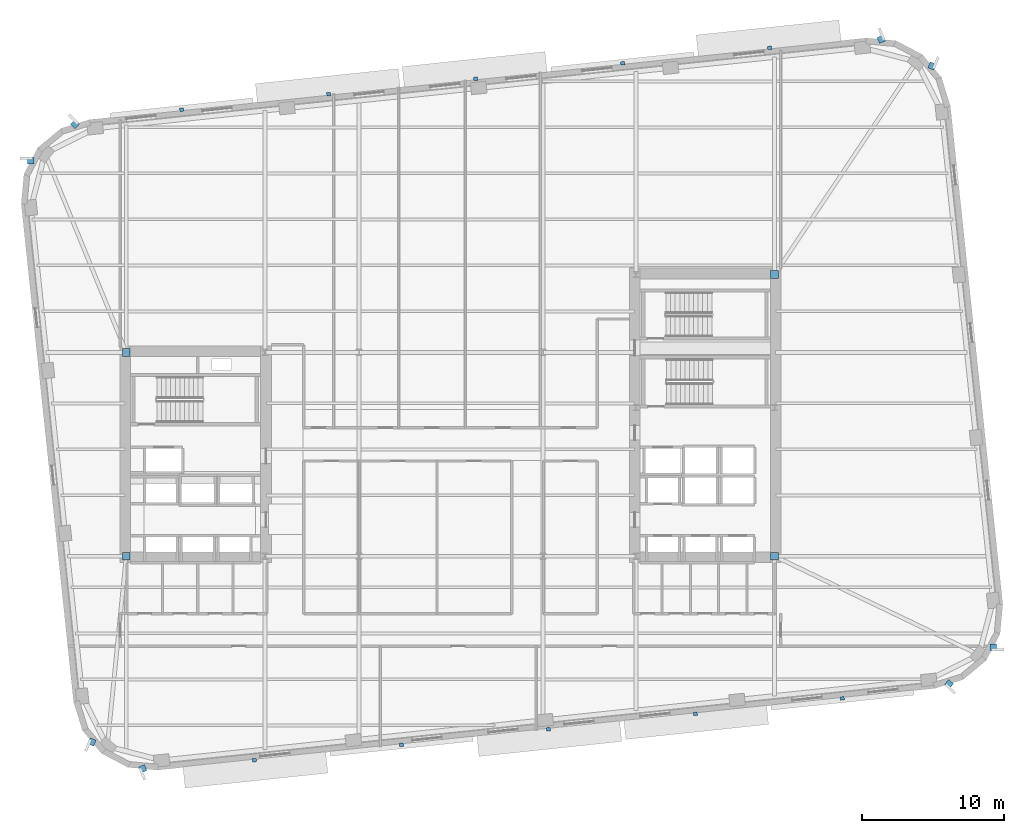
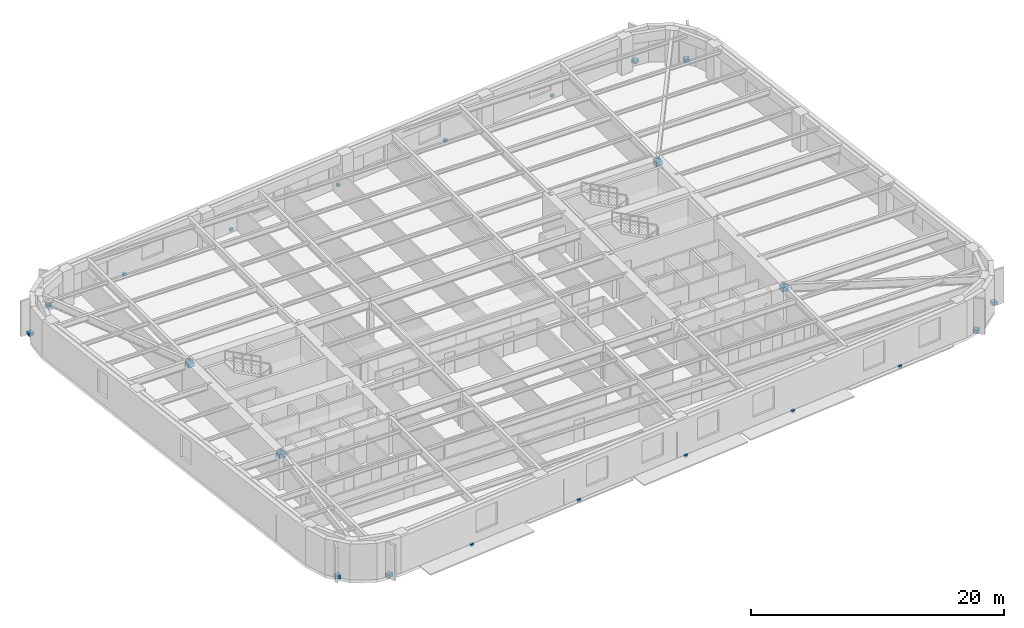
# One storey, part 8 of 15: 22 discrete accessories.
"""IFC4 building model written with IfcOpenShell, lengths in metres."""

from ifc_helpers import new_model, si_unit, direction, frame, origin, origin_2d, place, context, subcontext, project, spatial, rectangle, extrude, material, type_object, element, save


model = new_model("IFC4")

# Units and contexts
model_context = context("Model", 3, precision=1e-05, world=origin(), true_north=direction((0.0, 1.0)))
body_context = subcontext(model_context, "Body", "Model", "MODEL_VIEW")
ifc_project = project(units=[si_unit("LENGTHUNIT", "METRE"), si_unit("AREAUNIT", "SQUARE_METRE"), si_unit("VOLUMEUNIT", "CUBIC_METRE"), si_unit("PLANEANGLEUNIT", "RADIAN"), si_unit("MASSUNIT", "GRAM", prefix="KILO")], contexts=[model_context])

# Site, building, storey
site_placement = place(None, origin())
site = spatial("IfcSite", under=ifc_project, at=site_placement, CompositionType="ELEMENT")
building_placement = place(site_placement, origin())
building = spatial("IfcBuilding", under=site, at=building_placement, Name="Kolvaren Arena Tower", CompositionType="ELEMENT")
storey_placement = place(building_placement, frame((0.0, 0.0, 118.449951171875)))
storey = spatial("IfcBuildingStorey", under=building, at=storey_placement, Name="L27", CompositionType="ELEMENT", Elevation=118.449951171875)

# Discrete accessories
ifc_material_1 = material(Name="Stainless steel facade support bracket", Category="steel")
discrete_accessory_type_1 = type_object("IfcDiscreteAccessoryType", Name="ACC-BRKT-1", PredefinedType="BRACKET", material=ifc_material_1)
for number, where, z_axis, x_axis, name in (
    (1, (72.66943359375, 10.423828125, 0.02001953125), (0.0, 0.0, 1.0), (0.710184146885, -0.704015963962, 0.0), "Corner Fin Anchor Bracket (L27)"),
    (2, (75.7861328125, 13.01611328125, 0.02001953125), (0.0, 0.0, 1.0), (0.999990541547, 0.004349346783, 0.0), "Corner Fin Anchor Bracket (L27)"),
    (3, (71.470703125, 54.07470703125, 0.02001953125), (0.0, 0.0, 1.0), (0.378634078949, 0.925546451702, 0.0), "Corner Fin Anchor Bracket (L27)"),
    (4, (67.88330078125, 55.9619140625, 0.02001953125), (0.0, 0.0, 1.0), (-0.386706132999, 0.922202996472, 0.0), "Corner Fin Anchor Bracket (L27)"),
):
    element("IfcDiscreteAccessory", number, at=place(storey_placement, frame(where, z_axis=z_axis, x_axis=x_axis)), inside=storey, type_object=discrete_accessory_type_1, Name=name, PredefinedType="BRACKET", context=body_context, shape_type="SweptSolid", body=[
        extrude(rectangle(XDim=0.449951171875, YDim=0.449951171875, at=origin_2d()), origin(), (0.0, 0.0, 1.0), 0.300048828125),
    ])
for number, where, z_axis, x_axis, name in (
    (5, (18.468505859375, 50.9951171875, -0.18017578125), (0.0, 0.0, 1.0), (0.994522077803, 0.104526727499, 0.0), "Sunshade Support Bracket (L27)"),
    (6, (28.851318359375, 52.08642578125, -0.18017578125), (0.0, 0.0, 1.0), (0.994522077803, 0.104526727499, 0.0), "Sunshade Support Bracket (L27)"),
    (7, (39.234130859375, 53.177734375, -0.18017578125), (0.0, 0.0, 1.0), (0.994522077803, 0.104526727499, 0.0), "Sunshade Support Bracket (L27)"),
    (8, (49.616943359375, 54.268798828125, -0.18017578125), (0.0, 0.0, 1.0), (0.994522077803, 0.104526727499, 0.0), "Sunshade Support Bracket (L27)"),
    (9, (59.999755859375, 55.360107421875, -0.18017578125), (0.0, 0.0, 1.0), (0.994522077803, 0.104526727499, 0.0), "Sunshade Support Bracket (L27)"),
):
    element("IfcDiscreteAccessory", number, at=place(storey_placement, frame(where, z_axis=z_axis, x_axis=x_axis)), inside=storey, type_object=discrete_accessory_type_1, Name=name, PredefinedType="BRACKET", context=body_context, shape_type="SweptSolid", body=[
        extrude(rectangle(XDim=0.280029296875, YDim=0.239990234375, at=origin_2d()), origin(), (0.0, 0.0, 1.0), 0.239990234375),
    ])
for number, where, z_axis, x_axis, name in (
    (10, (10.930419921875, 49.97607421875, 0.02001953125), (0.0, 0.0, 1.0), (-0.710184146885, 0.704015963962, 0.0), "Corner Fin Anchor Bracket (L27)"),
    (11, (7.81396484375, 47.384033203125, 0.02001953125), (0.0, 0.0, 1.0), (-0.999990541547, -0.004349346783, 0.0), "Corner Fin Anchor Bracket (L27)"),
    (12, (12.12939453125, 6.325439453125, 0.02001953125), (0.0, 0.0, 1.0), (-0.378634078949, -0.925546451702, 0.0), "Corner Fin Anchor Bracket (L27)"),
    (13, (15.716796875, 4.43798828125, 0.02001953125), (0.0, 0.0, 1.0), (0.386706132999, -0.922202996472, 0.0), "Corner Fin Anchor Bracket (L27)"),
):
    element("IfcDiscreteAccessory", number, at=place(storey_placement, frame(where, z_axis=z_axis, x_axis=x_axis)), inside=storey, type_object=discrete_accessory_type_1, Name=name, PredefinedType="BRACKET", context=body_context, shape_type="SweptSolid", body=[
        extrude(rectangle(XDim=0.449951171875, YDim=0.449951171875, at=origin_2d()), origin(), (0.0, 0.0, 1.0), 0.300048828125),
    ])
for number, where, z_axis, x_axis, name in (
    (14, (65.131591796875, 9.40478515625, -0.18017578125), (0.0, 0.0, 1.0), (-0.994522077803, -0.104526727499, 0.0), "Sunshade Support Bracket (L27)"),
    (15, (54.748779296875, 8.313720703125, -0.18017578125), (0.0, 0.0, 1.0), (-0.994522077803, -0.104526727499, 0.0), "Sunshade Support Bracket (L27)"),
    (16, (44.365966796875, 7.222412109375, -0.18017578125), (0.0, 0.0, 1.0), (-0.994522077803, -0.104526727499, 0.0), "Sunshade Support Bracket (L27)"),
    (17, (33.983154296875, 6.131103515625, -0.18017578125), (0.0, 0.0, 1.0), (-0.994522077803, -0.104526727499, 0.0), "Sunshade Support Bracket (L27)"),
    (18, (23.600341796875, 5.039794921875, -0.18017578125), (0.0, 0.0, 1.0), (-0.994522077803, -0.104526727499, 0.0), "Sunshade Support Bracket (L27)"),
):
    element("IfcDiscreteAccessory", number, at=place(storey_placement, frame(where, z_axis=z_axis, x_axis=x_axis)), inside=storey, type_object=discrete_accessory_type_1, Name=name, PredefinedType="BRACKET", context=body_context, shape_type="SweptSolid", body=[
        extrude(rectangle(XDim=0.280029296875, YDim=0.239990234375, at=origin_2d()), origin(), (0.0, 0.0, 1.0), 0.239990234375),
    ])
ifc_material_2 = material(Name="Steel CSA G40.21 350W bolted gusset connection", Category="steel")
discrete_accessory_type_2 = type_object("IfcDiscreteAccessoryType", Name="ACC-CONN-1", PredefinedType="BRACKET", material=ifc_material_2)
for number, where, z_axis, x_axis, name in (
    (19, (60.35009765625, 19.449951171875, 2.87353515625), (0.0, 0.0, 1.0), (1.0, 0.0, 0.0), "Core Wall Cast-In Embed Plate EP1 (L27)"),
    (20, (60.35009765625, 39.35009765625, 2.87353515625), (0.0, 0.0, 1.0), (1.0, 0.0, 0.0), "Core Wall Cast-In Embed Plate EP1 (L27)"),
    (21, (14.550048828125, 33.85009765625, 2.87353515625), (0.0, 0.0, 1.0), (1.0, 0.0, 0.0), "Core Wall Cast-In Embed Plate EP1 (L27)"),
    (22, (14.550048828125, 19.449951171875, 2.87353515625), (0.0, 0.0, 1.0), (1.0, 0.0, 0.0), "Core Wall Cast-In Embed Plate EP1 (L27)"),
):
    element("IfcDiscreteAccessory", number, at=place(storey_placement, frame(where, z_axis=z_axis, x_axis=x_axis)), inside=storey, type_object=discrete_accessory_type_2, Name=name, PredefinedType="BRACKET", context=body_context, shape_type="SweptSolid", body=[
        extrude(rectangle(XDim=0.56005859375, YDim=0.56005859375, at=origin_2d()), origin(), (0.0, 0.0, 1.0), 0.43994140625),
    ])

save(model, "model.ifc")
